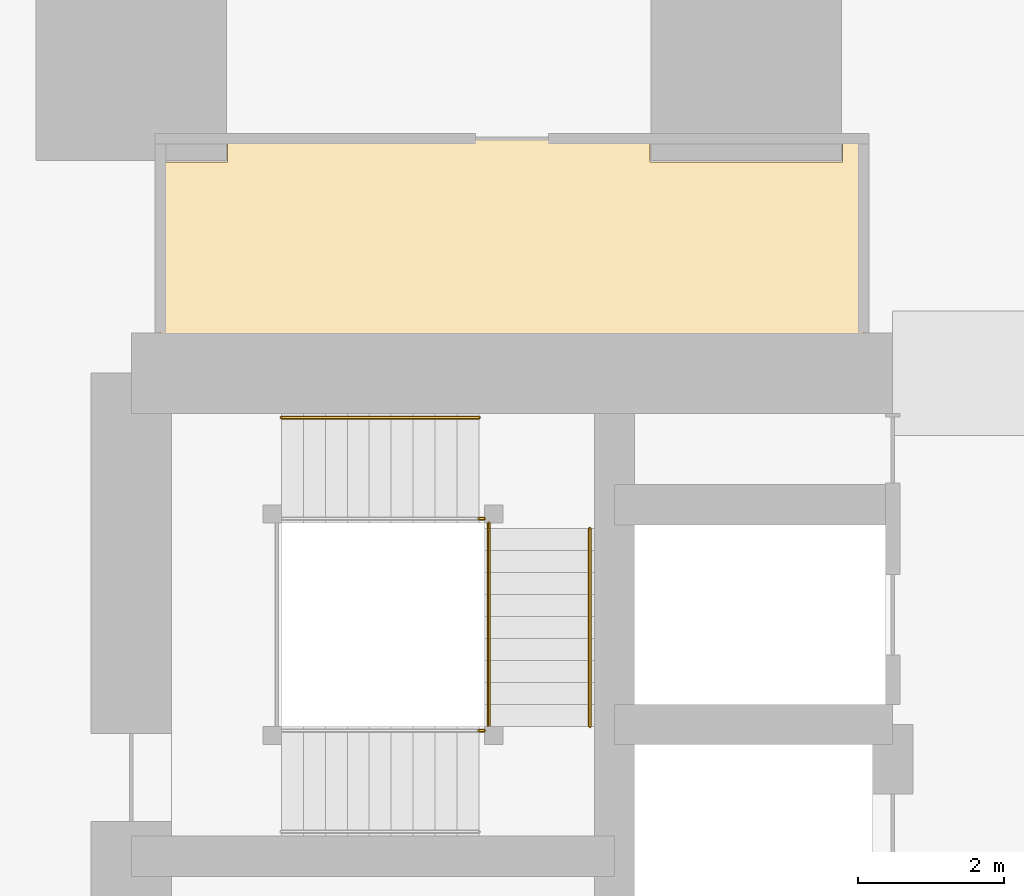
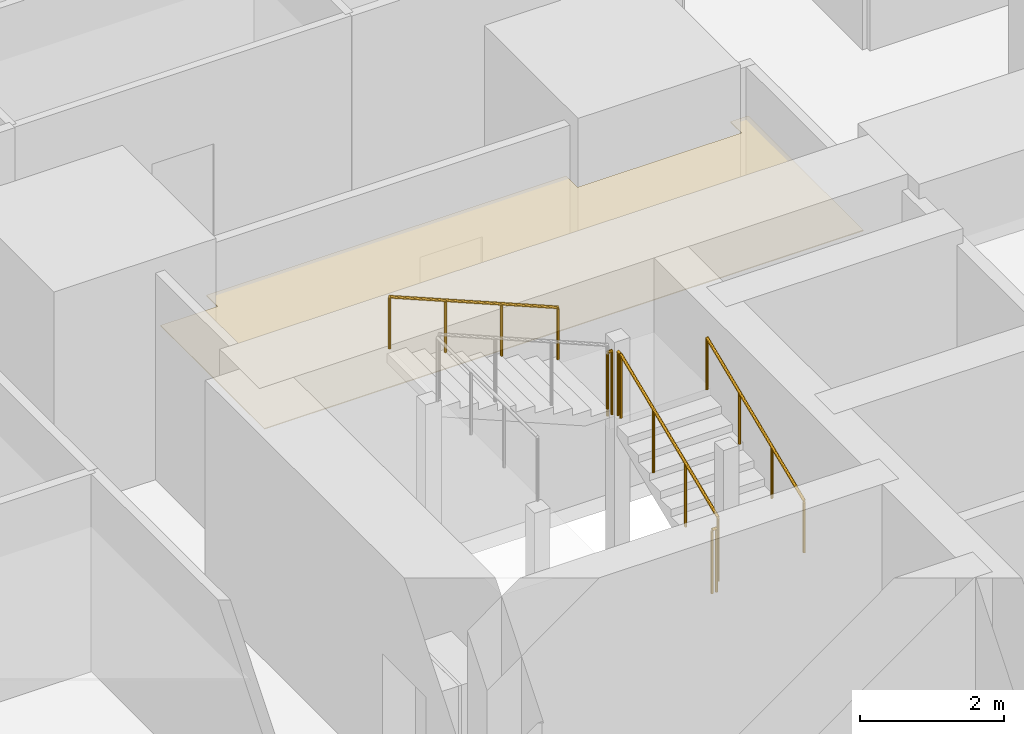
# One storey, part 43 of 46: 6 railings, 1 covering.
"""IFC4 building model written with IfcOpenShell, lengths in metres."""

from ifc_helpers import new_model, si_unit, direction, frame, origin, origin_2d, place, context, subcontext, project, spatial, polyline, circle, outline, extrude, material, layer, layer_set, type_object, element, save


model = new_model("IFC4")

# Units and contexts
model_context = context("Model", 3, precision=1e-05, world=origin(), true_north=direction((0.0, 1.0)))
body_context = subcontext(model_context, "Body", "Model", "MODEL_VIEW")
ifc_project = project(units=[si_unit("LENGTHUNIT", "METRE"), si_unit("AREAUNIT", "SQUARE_METRE"), si_unit("VOLUMEUNIT", "CUBIC_METRE"), si_unit("PLANEANGLEUNIT", "RADIAN"), si_unit("MASSUNIT", "GRAM", prefix="KILO")], contexts=[model_context])

# Site, building, storey
site_placement = place(None, origin())
site = spatial("IfcSite", under=ifc_project, at=site_placement, CompositionType="ELEMENT")
building_placement = place(site_placement, origin())
building = spatial("IfcBuilding", under=site, at=building_placement, Name="Rekha Terrace Tower", CompositionType="ELEMENT")
storey_placement = place(building_placement, frame((0.0, 0.0, 29.14990234375)))
storey = spatial("IfcBuildingStorey", under=building, at=storey_placement, Name="L06", CompositionType="ELEMENT", Elevation=29.14990234375)

# Covering
ifc_material_1 = material(Name="Fibre cement board", Category="finish")
ifc_layer = layer(ifc_material_1, 0.014892578125)
ifc_layer_set = layer_set([ifc_layer], Name="Fibre cement board")
covering_type = type_object("IfcCoveringType", Name="CL2 moisture-resistant board ceiling", PredefinedType="CEILING", material=ifc_layer_set)
covering_placement = place(storey_placement, frame((0.0, 0.0, 2.585205078125)))
element("IfcCovering", 1, at=covering_placement, inside=storey, type_object=covering_type, Name="Ceiling L06-WCF2", PredefinedType="CEILING", context=body_context, shape_type="SweptSolid", body=[
    extrude(outline(polyline([(26.514892578125, 49.0849609375), (25.60009765625, 49.0849609375), (25.60009765625, 46.199951171875), (35.199951171875, 46.199951171875), (35.199951171875, 49.39990234375), (34.9150390625, 49.39990234375), (34.9150390625, 49.0849609375), (32.284912109375, 49.0849609375), (32.284912109375, 49.39990234375), (26.514892578125, 49.39990234375), (26.514892578125, 49.0849609375)])), origin(), (0.0, 0.0, 1.0), 0.014892578125),
])

# Railings
ifc_material_2 = material(Name="Stainless steel balustrade", Category="steel")
railing_type_1 = type_object("IfcRailingType", Name="GR1 1100 stair guard", PredefinedType="GUARDRAIL", material=ifc_material_2)
railing_1_placement = place(storey_placement, frame((30.0849609375, 41.375, 1.375)))
element("IfcRailing", 2, at=railing_1_placement, inside=storey, type_object=railing_type_1, Name="Guard ST4 L06 flight 2", PredefinedType="GUARDRAIL", context=body_context, shape_type="SweptSolid", body=[
    extrude(circle(Radius=0.02392578125, at=origin_2d()), frame((0.0, 0.0, 1.076171875), z_axis=(0.0, 0.923074453586, 0.384621311341), x_axis=(-1.0, 0.0, 0.0)), (0.0, 0.0, 1.0), 2.925048828125),
    extrude(circle(Radius=0.02099609375, at=origin_2d()), origin(), (0.0, 0.0, 1.0), 1.052001953125),
    extrude(circle(Radius=0.02099609375, at=origin_2d()), frame((0.0, 0.89990234375, 0.375)), (0.0, 0.0, 1.0), 1.052001953125),
    extrude(circle(Radius=0.02099609375, at=origin_2d()), frame((0.0, 1.800048828125, 0.75)), (0.0, 0.0, 1.0), 1.052001953125),
    extrude(circle(Radius=0.02099609375, at=origin_2d()), frame((0.0, 2.699951171875, 1.125)), (0.0, 0.0, 1.0), 1.052001953125),
])
railing_2_placement = place(storey_placement, frame((29.949951171875, 41.31494140625, 1.25)))
element("IfcRailing", 3, at=railing_2_placement, inside=storey, type_object=railing_type_1, Name="Guard ST4 L06 landing 1", PredefinedType="GUARDRAIL", context=body_context, shape_type="SweptSolid", body=[
    extrude(circle(Radius=0.02392578125, at=origin_2d()), frame((0.0, 0.0, 1.076171875), z_axis=(1.0, 0.0, 0.0), x_axis=(0.0, 1.0, 0.0)), (0.0, 0.0, 1.0), 0.074951171875),
    extrude(circle(Radius=0.02099609375, at=origin_2d()), origin(), (0.0, 0.0, 1.0), 1.052001953125),
    extrude(circle(Radius=0.02099609375, at=origin_2d()), frame((0.074951171875, 0.0, 0.0)), (0.0, 0.0, 1.0), 1.052001953125),
])
railing_3_placement = place(storey_placement, frame((30.0849609375, 44.074951171875, 2.5)))
element("IfcRailing", 4, at=railing_3_placement, inside=storey, type_object=railing_type_1, Name="Guard ST4 L06 landing 2", PredefinedType="GUARDRAIL", context=body_context, shape_type="SweptSolid", body=[
    extrude(circle(Radius=0.02392578125, at=origin_2d()), frame((0.0, 0.0, 1.076171875), z_axis=(0.0, 1.0, 0.0), x_axis=(-1.0, 0.0, 0.0)), (0.0, 0.0, 1.0), 0.074951171875),
    extrude(circle(Radius=0.02099609375, at=origin_2d()), origin(), (0.0, 0.0, 1.0), 1.052001953125),
    extrude(circle(Radius=0.02099609375, at=origin_2d()), frame((0.0, 0.074951171875, 0.0)), (0.0, 0.0, 1.0), 1.052001953125),
])
railing_4_placement = place(storey_placement, frame((29.949951171875, 44.2099609375, 2.5)))
element("IfcRailing", 5, at=railing_4_placement, inside=storey, type_object=railing_type_1, Name="Guard ST4 L06 landing 3", PredefinedType="GUARDRAIL", context=body_context, shape_type="SweptSolid", body=[
    extrude(circle(Radius=0.02392578125, at=origin_2d()), frame((0.0, 0.0, 1.076171875), z_axis=(1.0, 0.0, 0.0), x_axis=(0.0, 1.0, 0.0)), (0.0, 0.0, 1.0), 0.074951171875),
    extrude(circle(Radius=0.02099609375, at=origin_2d()), origin(), (0.0, 0.0, 1.0), 1.052001953125),
    extrude(circle(Radius=0.02099609375, at=origin_2d()), frame((0.074951171875, 0.0, 0.0)), (0.0, 0.0, 1.0), 1.052001953125),
])
ifc_material_3 = material(Name="Stainless steel tube", Category="steel")
railing_type_2 = type_object("IfcRailingType", Name="HR1 900 stair handrail", PredefinedType="HANDRAIL", material=ifc_material_3)
railing_5_placement = place(storey_placement, frame((31.465087890625, 41.375, 1.375)))
element("IfcRailing", 6, at=railing_5_placement, inside=storey, type_object=railing_type_2, Name="Handrail ST4 L06 flight 2", PredefinedType="HANDRAIL", context=body_context, shape_type="SweptSolid", body=[
    extrude(circle(Radius=0.02392578125, at=origin_2d()), frame((0.0, 0.0, 0.8759765625), z_axis=(0.0, 0.923074453586, 0.384621311341), x_axis=(-1.0, 0.0, 0.0)), (0.0, 0.0, 1.0), 2.925048828125),
    extrude(circle(Radius=0.02099609375, at=origin_2d()), origin(), (0.0, 0.0, 1.0), 0.851806640625),
    extrude(circle(Radius=0.02099609375, at=origin_2d()), frame((0.0, 0.89990234375, 0.375)), (0.0, 0.0, 1.0), 0.851806640625),
    extrude(circle(Radius=0.02099609375, at=origin_2d()), frame((0.0, 1.800048828125, 0.75)), (0.0, 0.0, 1.0), 0.851806640625),
    extrude(circle(Radius=0.02099609375, at=origin_2d()), frame((0.0, 2.699951171875, 1.125)), (0.0, 0.0, 1.0), 0.851806640625),
])
railing_6_placement = place(storey_placement, frame((29.949951171875, 45.590087890625, 2.625)))
element("IfcRailing", 7, at=railing_6_placement, inside=storey, type_object=railing_type_2, Name="Handrail ST4 L06 flight 3", PredefinedType="HANDRAIL", context=body_context, shape_type="SweptSolid", body=[
    extrude(circle(Radius=0.02392578125, at=origin_2d()), frame((0.0, 0.0, 0.8759765625), z_axis=(-0.923074453586, 0.0, 0.384621311341), x_axis=(0.0, -1.0, 0.0)), (0.0, 0.0, 1.0), 2.925048828125),
    extrude(circle(Radius=0.02099609375, at=origin_2d()), origin(), (0.0, 0.0, 1.0), 0.851806640625),
    extrude(circle(Radius=0.02099609375, at=origin_2d()), frame((-0.89990234375, 0.0, 0.375)), (0.0, 0.0, 1.0), 0.851806640625),
    extrude(circle(Radius=0.02099609375, at=origin_2d()), frame((-1.800048828125, 0.0, 0.75)), (0.0, 0.0, 1.0), 0.851806640625),
    extrude(circle(Radius=0.02099609375, at=origin_2d()), frame((-2.699951171875, 0.0, 1.125)), (0.0, 0.0, 1.0), 0.851806640625),
])

save(model, "model.ifc")
